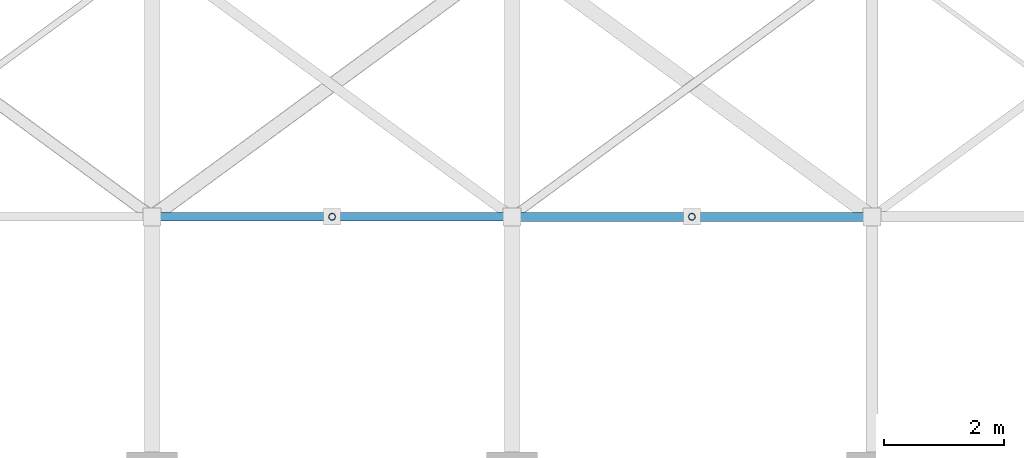
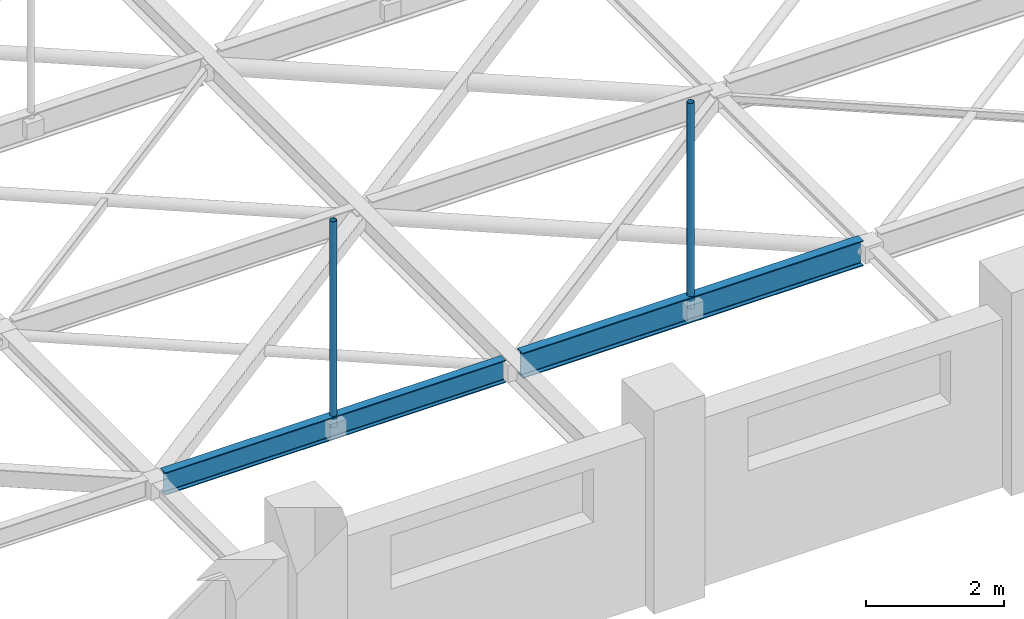
# One storey, part 35 of 93: 2 beams, 2 members.
"""IFC4 building model written with IfcOpenShell, lengths in metres."""

from ifc_helpers import new_model, si_unit, direction, frame, origin, origin_2d, place, context, subcontext, project, spatial, hollow_circle, i_section, extrude, material, material_profile, profile_set, type_object, element, save


model = new_model("IFC4")

# Units and contexts
model_context = context("Model", 3, precision=1e-05, world=origin(), true_north=direction((0.0, 1.0)))
body_context = subcontext(model_context, "Body", "Model", "MODEL_VIEW")
ifc_project = project(units=[si_unit("LENGTHUNIT", "METRE"), si_unit("AREAUNIT", "SQUARE_METRE"), si_unit("VOLUMEUNIT", "CUBIC_METRE"), si_unit("PLANEANGLEUNIT", "RADIAN"), si_unit("MASSUNIT", "GRAM", prefix="KILO")], contexts=[model_context])

# Site, building, storey
site_placement = place(None, origin())
site = spatial("IfcSite", under=ifc_project, at=site_placement, CompositionType="ELEMENT")
building_placement = place(site_placement, origin())
building = spatial("IfcBuilding", under=site, at=building_placement, Name="Varnakota Cinema and Media Centre", CompositionType="ELEMENT")
storey_placement = place(building_placement, frame((0.0, 0.0, 12.0)))
storey = spatial("IfcBuildingStorey", under=building, at=storey_placement, Name="L03", CompositionType="ELEMENT", Elevation=12.0)

# Beams
ifc_material_1 = material(Name="Structural steel Grade 350 (E350)", Category="steel")
ifc_material_profile_1 = material_profile(ifc_material_1, i_section(OverallWidth=0.139892578125, OverallDepth=0.39990234375, WebThickness=0.0087890625, FlangeThickness=0.01611328125, FilletRadius=0.013916015625, at=origin_2d()), Name="ISMB 400")
ifc_profile_set_1 = profile_set([ifc_material_profile_1], Name="Structural steel Grade 350 (E350)")
beam_type_1 = type_object("IfcBeamType", Name="BM-ST-ISMB400", PredefinedType="JOIST", material=ifc_profile_set_1)
beam_1_placement = place(storey_placement, frame((111.139892578125, 4.39990234375, 1.300048828125), z_axis=(1.0, 0.0, 0.0), x_axis=(0.0, 1.0, 0.0)))
element("IfcBeam", 1, at=beam_1_placement, inside=storey, type_object=beam_type_1, Name="V1 rigging beam 7.1", PredefinedType="JOIST", context=body_context, shape_type="SweptSolid", body=[
    extrude(i_section(OverallWidth=0.139892578125, OverallDepth=0.39990234375, WebThickness=0.0087890625, FlangeThickness=0.01611328125, FilletRadius=0.013916015625, at=origin_2d()), origin(), (0.0, 0.0, 1.0), 5.72021484375),
])
ifc_material_2 = material(Name="Structural steel Grade 350 (E350)", Category="steel")
ifc_material_profile_2 = material_profile(ifc_material_2, i_section(OverallWidth=0.14990234375, OverallDepth=0.449951171875, WebThickness=0.009521484375, FlangeThickness=0.017333984375, FilletRadius=0.014892578125, at=origin_2d()), Name="ISMB 450")
ifc_profile_set_2 = profile_set([ifc_material_profile_2], Name="Structural steel Grade 350 (E350)")
beam_type_2 = type_object("IfcBeamType", Name="BM-ST-ISMB450", PredefinedType="BEAM", material=ifc_profile_set_2)
beam_2_placement = place(storey_placement, frame((117.139892578125, 4.39990234375, 1.300048828125), z_axis=(1.0, 0.0, 0.0), x_axis=(0.0, 1.0, 0.0)))
element("IfcBeam", 2, at=beam_2_placement, inside=storey, type_object=beam_type_2, Name="V1 rigging beam 8.1", PredefinedType="BEAM", context=body_context, shape_type="SweptSolid", body=[
    extrude(i_section(OverallWidth=0.14990234375, OverallDepth=0.449951171875, WebThickness=0.009521484375, FlangeThickness=0.017333984375, FilletRadius=0.014892578125, at=origin_2d()), origin(), (0.0, 0.0, 1.0), 5.72021484375),
])

# Members
ifc_material_3 = material(Name="Structural steel S355 (YSt 355)", Category="steel")
ifc_material_profile_3 = material_profile(ifc_material_3, hollow_circle(Radius=0.05712890625, WallThickness=0.00537109375, at=origin_2d()), Name="CHS 114.3x5.4")
ifc_profile_set_3 = profile_set([ifc_material_profile_3], Name="Structural steel S355 (YSt 355)")
member_type = type_object("IfcMemberType", Name="MEM-ST-CHS114_3x5_4", PredefinedType="BRACE", material=ifc_profile_set_3)
for number, where, z_axis, x_axis, name in (
    (3, (114.0, 4.39990234375, 1.300048828125), (0.0, 0.0, 1.0), (1.0, 0.0, 0.0), "V1 rigging hanger 7.1"),
    (4, (120.0, 4.39990234375, 1.300048828125), (0.0, 0.0, 1.0), (1.0, 0.0, 0.0), "V1 rigging hanger 8.1"),
):
    element("IfcMember", number, at=place(storey_placement, frame(where, z_axis=z_axis, x_axis=x_axis)), inside=storey, type_object=member_type, Name=name, PredefinedType="BRACE", context=body_context, shape_type="SweptSolid", body=[
        extrude(hollow_circle(Radius=0.05712890625, WallThickness=0.00537109375, at=origin_2d()), origin(), (0.0, 0.0, 1.0), 3.64990234375),
    ])

save(model, "model.ifc")
